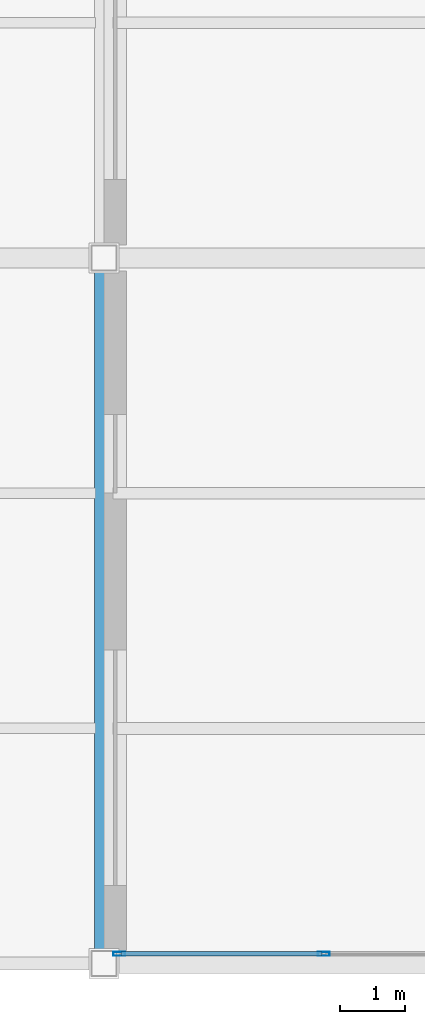
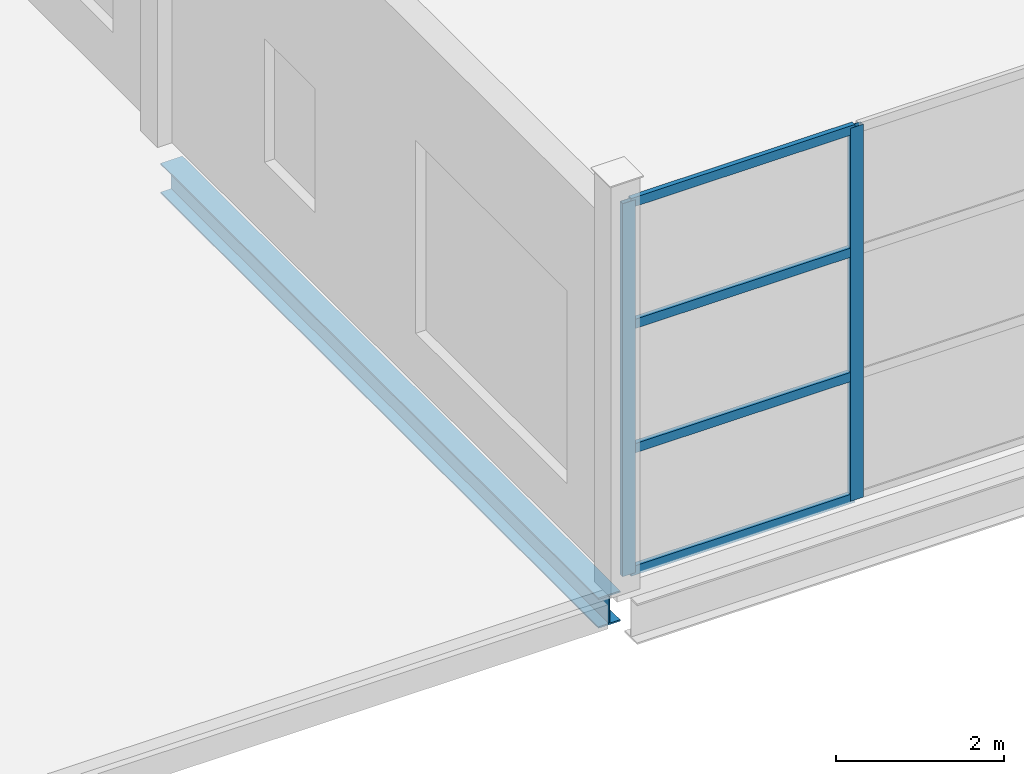
# One storey, part 129 of 191: 6 members, 1 beam, 1 element without a shape of its own.
"""IFC4 building model written with IfcOpenShell, lengths in metres."""

from ifc_helpers import new_model, si_unit, direction, frame, origin, origin_2d, place, context, subcontext, project, spatial, hollow_rectangle, i_section, extrude, material, layer, layer_set, material_profile, profile_set, type_object, element, aggregate, save


model = new_model("IFC4")

# Units and contexts
model_context = context("Model", 3, precision=1e-05, world=origin(), true_north=direction((0.0, 1.0)))
body_context = subcontext(model_context, "Body", "Model", "MODEL_VIEW")
ifc_project = project(units=[si_unit("LENGTHUNIT", "METRE"), si_unit("AREAUNIT", "SQUARE_METRE"), si_unit("VOLUMEUNIT", "CUBIC_METRE"), si_unit("PLANEANGLEUNIT", "RADIAN"), si_unit("MASSUNIT", "GRAM", prefix="KILO")], contexts=[model_context])

# Site, building, storey
site_placement = place(None, origin())
site = spatial("IfcSite", under=ifc_project, at=site_placement, CompositionType="ELEMENT")
building_placement = place(site_placement, origin())
building = spatial("IfcBuilding", under=site, at=building_placement, Name="Tamarisk Ironworks Central Station", CompositionType="ELEMENT")
storey_placement = place(building_placement, frame((0.0, 0.0, 6.60009765625)))
storey = spatial("IfcBuildingStorey", under=building, at=storey_placement, Name="L01", CompositionType="ELEMENT", Elevation=6.60009765625)

# Beam
ifc_material_1 = material(Name="Structural steel S355J2", Category="steel")
ifc_material_profile_1 = material_profile(ifc_material_1, i_section(OverallWidth=0.300048828125, OverallDepth=0.43994140625, WebThickness=0.011474609375, FlangeThickness=0.02099609375, at=origin_2d()), Name="HEA 450")
ifc_profile_set_1 = profile_set([ifc_material_profile_1], Name="Structural steel S355J2")
beam_type = type_object("IfcBeamType", Name="BM-G06", PredefinedType="BEAM", material=ifc_profile_set_1)
beam_placement = place(storey_placement, frame((140.0, 0.18798828125, -0.47021484375), z_axis=(0.0, 1.0, 0.0), x_axis=(-1.0, 0.0, 0.0)))
element("IfcBeam", 1, at=beam_placement, inside=storey, type_object=beam_type, Name="L01 primary girder Y-0259", PredefinedType="BEAM", context=body_context, shape_type="SweptSolid", body=[
    extrude(i_section(OverallWidth=0.300048828125, OverallDepth=0.43994140625, WebThickness=0.011474609375, FlangeThickness=0.02099609375, at=origin_2d()), origin(), (0.0, 0.0, 1.0), 10.424072265625),
])

# Curtain wall, members
ifc_material_2 = material(Name="Anodized aluminium alloy 6063-T6", Category="aluminium")
ifc_layer = layer(ifc_material_2, 0.179931640625)
ifc_layer_set = layer_set([ifc_layer], Name="Anodized aluminium alloy 6063-T6")
curtain_wall_type = type_object("IfcCurtainWallType", Name="CW-16", PredefinedType="USERDEFINED", material=ifc_layer_set)
curtain_wall_placement = place(storey_placement, origin())
curtain_wall = element("IfcCurtainWall", 2, at=curtain_wall_placement, inside=storey, type_object=curtain_wall_type, Name="South-east annex L01 curtain wall 140", ObjectType="GLAZED CURTAIN WALL", PredefinedType="USERDEFINED")
ifc_material_profile_2 = material_profile(ifc_material_2, hollow_rectangle(XDim=0.06494140625, YDim=0.179931640625, WallThickness=0.00390625, at=origin_2d()), Name="ALUM 180x65")
ifc_profile_set_2 = profile_set([ifc_material_profile_2], Name="Anodized aluminium alloy 6063-T6")
member_type_1 = type_object("IfcMemberType", Name="CWM-02", PredefinedType="MULLION", material=ifc_profile_set_2)
member_1_placement = place(storey_placement, frame((140.23046875, 0.14990234375, 0.0), z_axis=(0.0, 0.0, 1.0), x_axis=(0.0, 1.0, 0.0)))
member_1 = element("IfcMember", 3, at=member_1_placement, type_object=member_type_1, Name="CW16 mullion 1", PredefinedType="MULLION", context=body_context, shape_type="SweptSolid", body=[
    extrude(hollow_rectangle(XDim=0.06494140625, YDim=0.179931640625, WallThickness=0.00390625, at=origin_2d()), origin(), (0.0, 0.0, 1.0), 5.419921875),
])
member_2_placement = place(storey_placement, frame((143.361572265625, 0.14990234375, 0.0), z_axis=(0.0, 0.0, 1.0), x_axis=(0.0, 1.0, 0.0)))
member_2 = element("IfcMember", 4, at=member_2_placement, type_object=member_type_1, Name="CW16 mullion 2", PredefinedType="MULLION", context=body_context, shape_type="SweptSolid", body=[
    extrude(hollow_rectangle(XDim=0.06494140625, YDim=0.179931640625, WallThickness=0.00390625, at=origin_2d()), origin(), (0.0, 0.0, 1.0), 5.419921875),
])
ifc_material_profile_3 = material_profile(ifc_material_2, hollow_rectangle(XDim=0.06494140625, YDim=0.135009765625, WallThickness=0.00341796875, at=origin_2d()), Name="ALUM 135x65")
ifc_profile_set_3 = profile_set([ifc_material_profile_3], Name="Anodized aluminium alloy 6063-T6")
member_type_2 = type_object("IfcMemberType", Name="CWT-02", PredefinedType="USERDEFINED", material=ifc_profile_set_3)
member_3_placement = place(storey_placement, frame((140.259033203125, 0.14990234375, 0.032470703125), z_axis=(1.0, 0.0, 0.0), x_axis=(0.0, 1.0, 0.0)))
member_3 = element("IfcMember", 5, at=member_3_placement, type_object=member_type_2, Name="CW16 transom 1.1", ObjectType="TRANSOM", PredefinedType="USERDEFINED", context=body_context, shape_type="SweptSolid", body=[
    extrude(hollow_rectangle(XDim=0.06494140625, YDim=0.135009765625, WallThickness=0.00341796875, at=origin_2d()), origin(), (0.0, 0.0, 1.0), 3.073974609375),
])
member_4_placement = place(storey_placement, frame((140.259033203125, 0.14990234375, 1.806640625), z_axis=(1.0, 0.0, 0.0), x_axis=(0.0, 1.0, 0.0)))
member_4 = element("IfcMember", 6, at=member_4_placement, type_object=member_type_2, Name="CW16 transom 1.2", ObjectType="TRANSOM", PredefinedType="USERDEFINED", context=body_context, shape_type="SweptSolid", body=[
    extrude(hollow_rectangle(XDim=0.06494140625, YDim=0.135009765625, WallThickness=0.00341796875, at=origin_2d()), origin(), (0.0, 0.0, 1.0), 3.073974609375),
])
member_5_placement = place(storey_placement, frame((140.259033203125, 0.14990234375, 3.61328125), z_axis=(1.0, 0.0, 0.0), x_axis=(0.0, 1.0, 0.0)))
member_5 = element("IfcMember", 7, at=member_5_placement, type_object=member_type_2, Name="CW16 transom 1.3", ObjectType="TRANSOM", PredefinedType="USERDEFINED", context=body_context, shape_type="SweptSolid", body=[
    extrude(hollow_rectangle(XDim=0.06494140625, YDim=0.135009765625, WallThickness=0.00341796875, at=origin_2d()), origin(), (0.0, 0.0, 1.0), 3.073974609375),
])
member_6_placement = place(storey_placement, frame((140.259033203125, 0.14990234375, 5.387451171875), z_axis=(1.0, 0.0, 0.0), x_axis=(0.0, 1.0, 0.0)))
member_6 = element("IfcMember", 8, at=member_6_placement, type_object=member_type_2, Name="CW16 transom 1.4", ObjectType="TRANSOM", PredefinedType="USERDEFINED", context=body_context, shape_type="SweptSolid", body=[
    extrude(hollow_rectangle(XDim=0.06494140625, YDim=0.135009765625, WallThickness=0.00341796875, at=origin_2d()), origin(), (0.0, 0.0, 1.0), 3.073974609375),
])
aggregate(curtain_wall, [member_1, member_2, member_3, member_4, member_5, member_6])

save(model, "model.ifc")
